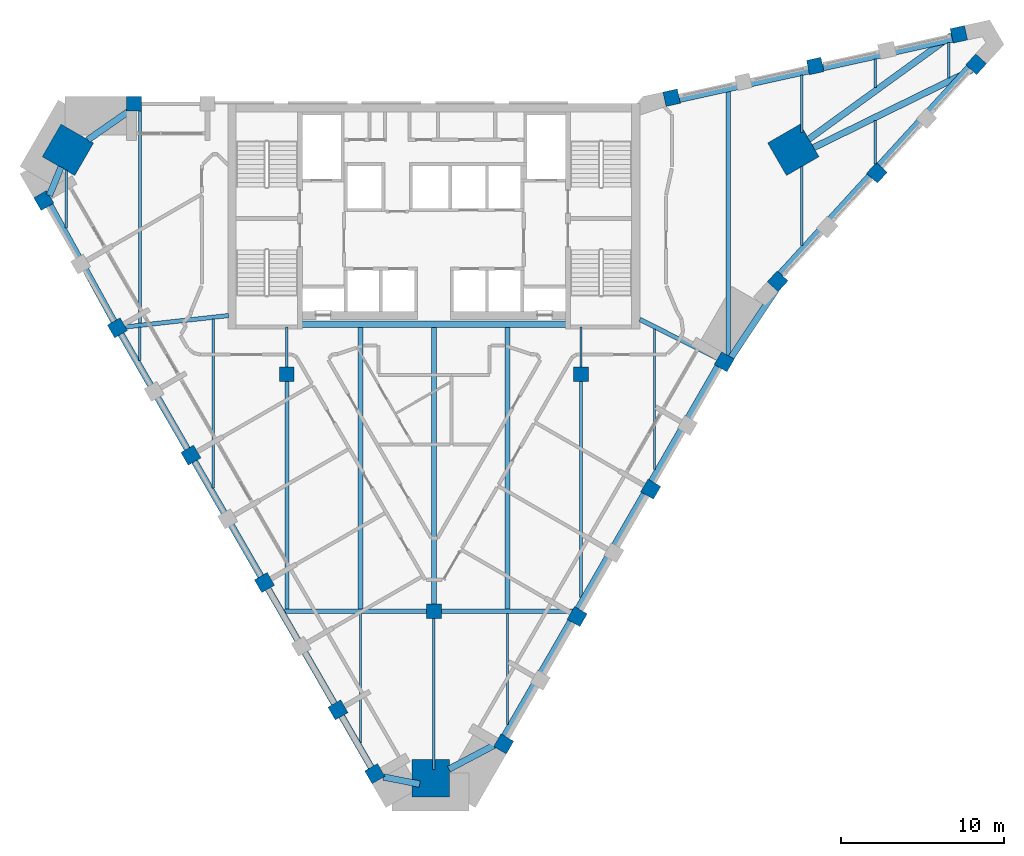
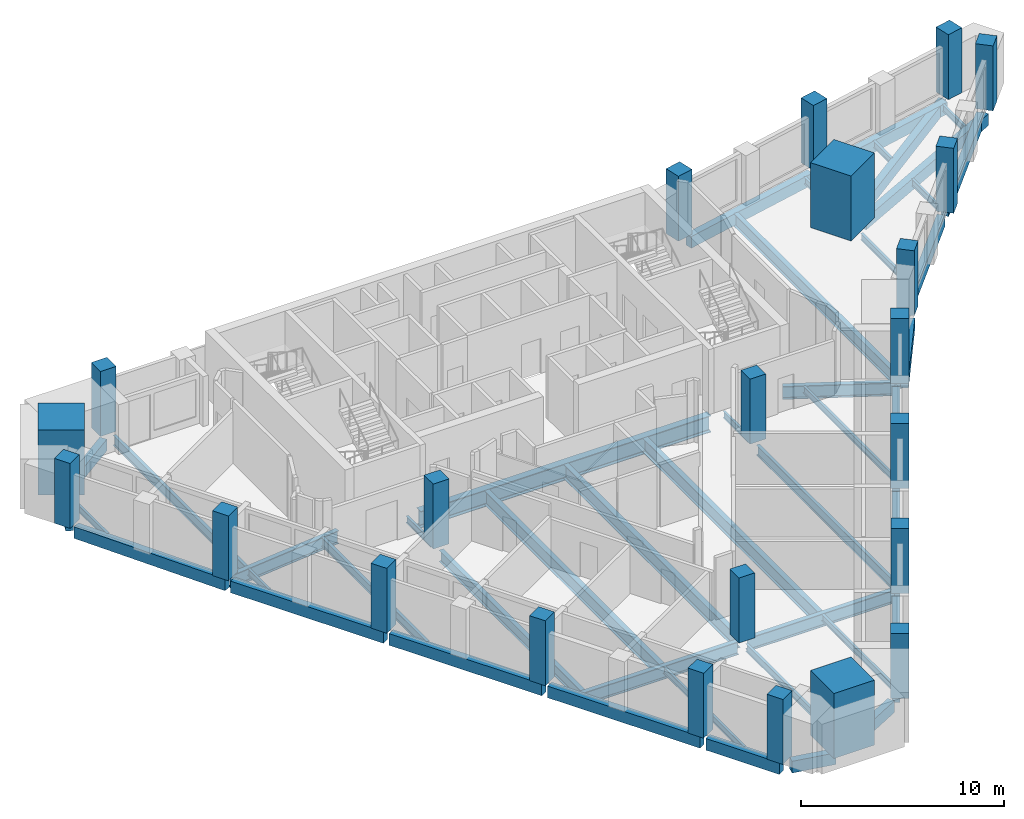
# One storey, part 1 of 8: 45 beams, 23 columns.
"""IFC4 building model written with IfcOpenShell, lengths in metres."""

import ifcopenshell
import ifcopenshell.guid

model = None  # the IFC model being written
_history = None  # IfcOwnerHistory: only IFC2X3 demands one
_inside = {}  # id of a spatial element -> (the spatial element, [elements in it])
_under = {}  # id of a project, library or spatial element -> (it, [spatial elements below it])
_declared = {}  # id of a project -> (the project, [libraries it declares])
_typed = {}  # id of a type object -> (the type object, [elements of that type])
_made_of = {}  # id of a material, layer set ... -> (it, [elements and type objects made of it])


def new_model(schema):
    """Start an empty IFC model of exactly this schema.

    Asked for "IFC4X3", IfcOpenShell would pick the latest addendum, in which some entities
    have other attributes; the version numbers below select the first issue.
    IFC2X3 requires an IfcOwnerHistory on every rooted entity: one is made here for all.
    """
    global model, _history
    if schema == "IFC4X3":
        model = ifcopenshell.file(schema_version=(4, 3, 0, 0))
    else:
        model = ifcopenshell.file(schema=schema)
    _inside.clear()
    _under.clear()
    _declared.clear()
    _typed.clear()
    _made_of.clear()
    _history = None
    if model.schema == "IFC2X3":
        org = make("IfcOrganization", Name="unknown")
        user = make(
            "IfcPersonAndOrganization",
            ThePerson=make("IfcPerson", FamilyName="unknown"),
            TheOrganization=org,
        )
        app = make(
            "IfcApplication",
            ApplicationDeveloper=org,
            Version="unknown",
            ApplicationFullName="unknown",
            ApplicationIdentifier="unknown",
        )
        _history = make(
            "IfcOwnerHistory",
            OwningUser=user,
            OwningApplication=app,
            ChangeAction="ADDED",
            CreationDate=0,
        )
    return model


def make(cls, **values):
    """One entity of the class cls with the attributes given. An attribute that is None is left unset."""
    return model.create_entity(
        cls, **{name: value for name, value in values.items() if value is not None}
    )


def rooted(cls, **values):
    """An entity with a GlobalId (a new one), such as an element, a storey or a relation."""
    return make(cls, GlobalId=ifcopenshell.guid.new(), OwnerHistory=_history, **values)


def si_unit(unit_type, name, prefix=None):
    """IfcSIUnit, for example si_unit("LENGTHUNIT", "METRE", prefix="MILLI")."""
    return make("IfcSIUnit", UnitType=unit_type, Prefix=prefix, Name=name)


def assignment(units):
    """IfcUnitAssignment: the units of a project."""
    return None if units is None else make("IfcUnitAssignment", Units=units)


def point(xyz):
    """IfcCartesianPoint."""
    return None if xyz is None else make("IfcCartesianPoint", Coordinates=xyz)


def direction(xyz):
    """IfcDirection."""
    return None if xyz is None else make("IfcDirection", DirectionRatios=xyz)


def frame(location, z_axis=None, x_axis=None):
    """IfcAxis2Placement3D, a coordinate frame: its origin and axes. An axis left out is left unset."""
    return make(
        "IfcAxis2Placement3D",
        Location=point(location),
        Axis=direction(z_axis),
        RefDirection=direction(x_axis),
    )


def frame_2d(location, x_axis=None):
    """IfcAxis2Placement2D, a coordinate frame in the plane: its origin and x axis."""
    return make(
        "IfcAxis2Placement2D", Location=point(location), RefDirection=direction(x_axis)
    )


def origin():
    """The frame at (0, 0, 0) with its axes left unset."""
    return frame((0.0, 0.0, 0.0))


def origin_2d():
    """The frame at (0, 0) in the plane with its x axis left unset."""
    return frame_2d((0.0, 0.0))


def place(relative_to, where):
    """IfcLocalPlacement: puts the frame where relative to a parent placement (None: the world)."""
    return make(
        "IfcLocalPlacement", PlacementRelTo=relative_to, RelativePlacement=where
    )


def context(
    kind, dimensions, precision=None, world=None, true_north=None, identifier=None
):
    """IfcGeometricRepresentationContext, for example the 3D "Model" context."""
    return make(
        "IfcGeometricRepresentationContext",
        ContextIdentifier=identifier,
        ContextType=kind,
        CoordinateSpaceDimension=dimensions,
        Precision=precision,
        WorldCoordinateSystem=world,
        TrueNorth=true_north,
    )


def subcontext(parent, identifier, kind, view, scale=None):
    """IfcGeometricRepresentationSubContext, for example "Body" below "Model"."""
    return make(
        "IfcGeometricRepresentationSubContext",
        ContextIdentifier=identifier,
        ContextType=kind,
        ParentContext=parent,
        TargetScale=scale,
        TargetView=view,
    )


def project(units=None, contexts=None):
    """IfcProject with its units and contexts."""
    return rooted(
        "IfcProject",
        Name="project",
        RepresentationContexts=contexts,
        UnitsInContext=assignment(units),
    )


def spatial(cls, under=None, at=None, **own):
    """A site, building, storey or space (cls), placed at a placement, below another one or the project."""
    s = rooted(cls, ObjectPlacement=at, **own)
    if under is not None:
        _under.setdefault(under.id(), (under, []))[1].append(s)
    return s


def profile(cls, at=None, kind="AREA", **sizes):
    """A parametric profile (cls). Its sizes go by their IFC names, for example OverallWidth=200.0."""
    return make(cls, ProfileType=kind, Position=at, **sizes)


def rectangle(**sizes):
    """IfcRectangleProfileDef."""
    return profile("IfcRectangleProfileDef", **sizes)


def i_section(**sizes):
    """IfcIShapeProfileDef."""
    return profile("IfcIShapeProfileDef", **sizes)


def extrude(swept, where, along, depth):
    """IfcExtrudedAreaSolid: the profile swept, set in the frame where, extruded along a direction by depth."""
    return make(
        "IfcExtrudedAreaSolid",
        SweptArea=swept,
        Position=where,
        ExtrudedDirection=direction(along),
        Depth=depth,
    )


def shape(context_of_items, identifier, shape_type, items):
    """IfcShapeRepresentation: the items that make up one representation, for example the "Body"."""
    return make(
        "IfcShapeRepresentation",
        ContextOfItems=context_of_items,
        RepresentationIdentifier=identifier,
        RepresentationType=shape_type,
        Items=items,
    )


def material(Name=None, Category=None):
    """IfcMaterial."""
    return make("IfcMaterial", Name=Name, Category=Category)


def material_profile(
    of_material, cross_section, Name=None, Category=None, Priority=None
):
    """IfcMaterialProfile: a cross section and its material."""
    return make(
        "IfcMaterialProfile",
        Name=Name,
        Material=of_material,
        Profile=cross_section,
        Priority=Priority,
        Category=Category,
    )


def profile_set(profiles, Name=None, composite=None):
    """IfcMaterialProfileSet."""
    return make(
        "IfcMaterialProfileSet",
        Name=Name,
        MaterialProfiles=profiles,
        CompositeProfile=composite,
    )


def made_of(thing, what):
    """Note that an element or type object is made of a material, layer set ...; save() writes the relation."""
    if what is not None:
        _made_of.setdefault(what.id(), (what, []))[1].append(thing)
    return thing


def type_object(cls, material=None, **own):
    """A type object (cls), such as IfcWallType, which elements share."""
    return made_of(rooted(cls, **own), material)


def element(
    cls,
    number,
    at=None,
    inside=None,
    cuts=None,
    type_object=None,
    material=None,
    context=None,
    identifier="Body",
    shape_type=None,
    held_by="IfcProductDefinitionShape",
    body=None,
    shapes=None,
    **own,
):
    """One element of the class cls, such as IfcWall. Its Tag is "e" and its number.

    at: its placement. inside: the storey or other place that contains it. cuts: it is an
    opening in that element (IfcRelVoidsElement). A single representation is given by context,
    identifier, shape_type and body (its items); several are given by shapes. held_by: the class
    of the entity that holds the representations. save() writes the other relations.
    """
    e = rooted(cls, Tag="e%d" % number, ObjectPlacement=at, **own)
    if body is not None:
        shapes = [shape(context, identifier, shape_type, body)]
    if shapes is not None:
        e.Representation = make(held_by, Representations=shapes)
    if inside is not None:
        _inside.setdefault(inside.id(), (inside, []))[1].append(e)
    if cuts is not None:
        rooted(
            "IfcRelVoidsElement", RelatingBuildingElement=cuts, RelatedOpeningElement=e
        )
    if type_object is not None:
        _typed.setdefault(type_object.id(), (type_object, []))[1].append(e)
    return made_of(e, material)


def aggregate(whole, parts):
    """IfcRelAggregates: a whole, such as a stair, and the parts it consists of."""
    return rooted("IfcRelAggregates", RelatingObject=whole, RelatedObjects=parts)


def save(model, path):
    """Write the relations noted so far, then the file.

    IfcRelAggregates (storeys below a building ...), IfcRelContainedInSpatialStructure (elements
    in a storey), IfcRelDefinesByType, IfcRelAssociatesMaterial and IfcRelDeclares: one each for
    every whole, place, type object, material and project.
    """
    for whole, parts in _under.values():
        aggregate(whole, parts)
    for where, things in _inside.values():
        rooted(
            "IfcRelContainedInSpatialStructure",
            RelatedElements=things,
            RelatingStructure=where,
        )
    for kind, things in _typed.values():
        rooted("IfcRelDefinesByType", RelatedObjects=things, RelatingType=kind)
    for what, things in _made_of.values():
        rooted("IfcRelAssociatesMaterial", RelatedObjects=things, RelatingMaterial=what)
    for by, libraries in _declared.values():
        rooted("IfcRelDeclares", RelatingContext=by, RelatedDefinitions=libraries)
    model.write(path)


model = new_model("IFC4")

# Units and contexts
model_context = context("Model", 3, precision=1e-05, world=origin(), true_north=direction((0.0, 1.0)))
body_context = subcontext(model_context, "Body", "Model", "MODEL_VIEW")
ifc_project = project(units=[si_unit("LENGTHUNIT", "METRE"), si_unit("AREAUNIT", "SQUARE_METRE"), si_unit("VOLUMEUNIT", "CUBIC_METRE"), si_unit("PLANEANGLEUNIT", "RADIAN"), si_unit("MASSUNIT", "GRAM", prefix="KILO")], contexts=[model_context])

# Site, building, storey
site_placement = place(None, origin())
site = spatial("IfcSite", under=ifc_project, at=site_placement, CompositionType="ELEMENT")
building_placement = place(site_placement, origin())
building = spatial("IfcBuilding", under=site, at=building_placement, Name="Calabash Gate Tower", CompositionType="ELEMENT")
storey_placement = place(building_placement, frame((0.0, 0.0, 252.10009765625)))
storey = spatial("IfcBuildingStorey", under=building, at=storey_placement, Name="L60", CompositionType="ELEMENT", Elevation=252.10009765625)

# Columns
ifc_material_1 = material(Name="Concrete C60/75", Category="concrete")
ifc_material_profile_1 = material_profile(ifc_material_1, rectangle(XDim=0.89990234375, YDim=0.89990234375, at=origin_2d()))
ifc_profile_set_1 = profile_set([ifc_material_profile_1], Name="Concrete C60/75")
column_type_1 = type_object("IfcColumnType", Name="Interior column RC 900x900 Concrete C60/75", PredefinedType="COLUMN", material=ifc_profile_set_1)
for number, where, z_axis, x_axis, name in (
    (1, (-9.0, 2.5, 0.0), (0.0, 0.0, 1.0), (1.0, 0.0, 0.0), "Interior column L60 I0"),
    (2, (9.0, 2.5, 0.0), (0.0, 0.0, 1.0), (1.0, 0.0, 0.0), "Interior column L60 I1"),
    (3, (0.0, -12.0, 0.0), (0.0, 0.0, 1.0), (1.0, 0.0, 0.0), "Interior column L60 I2"),
):
    element("IfcColumn", number, at=place(storey_placement, frame(where, z_axis=z_axis, x_axis=x_axis)), inside=storey, type_object=column_type_1, Name=name, PredefinedType="COLUMN", context=body_context, shape_type="SweptSolid", body=[
        extrude(rectangle(XDim=0.89990234375, YDim=0.89990234375, at=origin_2d()), origin(), (0.0, 0.0, 1.0), 3.89990234375),
    ])
ifc_material_2 = material(Name="Concrete C60/75", Category="concrete")
ifc_material_profile_2 = material_profile(ifc_material_2, rectangle(XDim=2.300048828125, YDim=2.300048828125, at=origin_2d()))
ifc_profile_set_2 = profile_set([ifc_material_profile_2], Name="Concrete C60/75")
column_type_2 = type_object("IfcColumnType", Name="Mega column RC 2300x2300 Concrete C60/75", PredefinedType="COLUMN", material=ifc_profile_set_2)
for number, where, z_axis, x_axis, name in (
    (4, (-22.40087890625, 16.22998046875, 0.0), (0.0, 0.0, 1.0), (0.866025377604, -0.500000045345, 0.0), "Mega column L60 NW"),
    (5, (21.991943359375, 16.22998046875, 0.0), (0.0, 0.0, 1.0), (-0.866025377604, -0.500000045345, 0.0), "Mega column L60 NE"),
    (6, (-0.202880859375, -22.216064453125, 0.0), (0.0, 0.0, 1.0), (0.0, 1.0, 0.0), "Mega column L60 S"),
):
    element("IfcColumn", number, at=place(storey_placement, frame(where, z_axis=z_axis, x_axis=x_axis)), inside=storey, type_object=column_type_2, Name=name, PredefinedType="COLUMN", context=body_context, shape_type="SweptSolid", body=[
        extrude(rectangle(XDim=2.300048828125, YDim=2.300048828125, at=origin_2d()), origin(), (0.0, 0.0, 1.0), 3.89990234375),
    ])
ifc_material_3 = material(Name="Concrete C50/60", Category="concrete")
ifc_material_profile_3 = material_profile(ifc_material_3, rectangle(XDim=0.89990234375, YDim=0.89990234375, at=origin_2d()))
ifc_profile_set_3 = profile_set([ifc_material_profile_3], Name="Concrete C50/60")
column_type_3 = type_object("IfcColumnType", Name="Perimeter column RC 900x900 Concrete C50/60", PredefinedType="COLUMN", material=ifc_profile_set_3)
for number, where, z_axis, x_axis, name in (
    (7, (-23.873046875, 13.132080078125, 0.0), (0.0, 0.0, 1.0), (0.5, -0.866025403784, 0.0), "Perimeter column L60 P20"),
    (8, (-19.373046875, 5.337890625, 0.0), (0.0, 0.0, 1.0), (0.5, -0.866025403784, 0.0), "Perimeter column L60 P00"),
    (9, (-14.873046875, -2.4560546875, 0.0), (0.0, 0.0, 1.0), (0.5, -0.866025403784, 0.0), "Perimeter column L60 P01"),
    (10, (-10.373046875, -10.25, 0.0), (0.0, 0.0, 1.0), (0.5, -0.866025403784, 0.0), "Perimeter column L60 P02"),
    (11, (-5.873046875, -18.04296875, 0.0), (0.0, 0.0, 1.0), (0.5, -0.866025403784, 0.0), "Perimeter column L60 P03"),
    (12, (-3.623046875, -21.94189453125, 0.0), (0.0, 0.0, 1.0), (0.5, -0.866025403784, 0.0), "Perimeter column L60 P25"),
    (13, (4.262939453125, -20.1240234375, 0.0), (0.0, 0.0, 1.0), (0.5, 0.866025403784, 0.0), "Perimeter column L60 P08"),
    (14, (8.762939453125, -12.330078125, 0.0), (0.0, 0.0, 1.0), (0.5, 0.866025403784, 0.0), "Perimeter column L60 P09"),
    (15, (13.262939453125, -4.532958984375, 0.0), (0.0, 0.0, 1.0), (0.5, 0.866025403784, 0.0), "Perimeter column L60 P10"),
    (16, (17.762939453125, 3.259033203125, 0.0), (0.0, 0.0, 1.0), (0.5, 0.866025403784, 0.0), "Perimeter column L60 P11"),
    (17, (21.031005859375, 8.18701171875, 0.0), (0.0, 0.0, 1.0), (0.67485604152, 0.737949404244, 0.0), "Perimeter column L60 P12"),
    (18, (27.10400390625, 14.825927734375, 0.0), (0.0, 0.0, 1.0), (0.67485604152, 0.737949404244, 0.0), "Perimeter column L60 P36"),
    (19, (33.177978515625, 21.468017578125, 0.0), (0.0, 0.0, 1.0), (0.67485604152, 0.737949404244, 0.0), "Perimeter column L60 P37"),
    (20, (32.12109375, 23.298095703125, 0.0), (0.0, 0.0, 1.0), (-0.976510951543, -0.215467773731, 0.0), "Perimeter column L60 P38"),
    (21, (23.3330078125, 21.35888671875, 0.0), (0.0, 0.0, 1.0), (-0.976510951543, -0.215467773731, 0.0), "Perimeter column L60 P39"),
    (22, (14.5439453125, 19.4189453125, 0.0), (0.0, 0.0, 1.0), (-0.976510951543, -0.215467773731, 0.0), "Perimeter column L60 P40"),
    (23, (-18.35302734375, 19.052978515625, 0.0), (0.0, 0.0, 1.0), (-1.0, 0.0, 0.0), "Perimeter column L60 P31"),
):
    element("IfcColumn", number, at=place(storey_placement, frame(where, z_axis=z_axis, x_axis=x_axis)), inside=storey, type_object=column_type_3, Name=name, PredefinedType="COLUMN", context=body_context, shape_type="SweptSolid", body=[
        extrude(rectangle(XDim=0.89990234375, YDim=0.89990234375, at=origin_2d()), origin(), (0.0, 0.0, 1.0), 3.89990234375),
    ])

# Beams
ifc_material_4 = material(Name="Concrete C50/60", Category="concrete")
ifc_material_profile_4 = material_profile(ifc_material_4, rectangle(XDim=0.39990234375, YDim=0.699951171875, at=origin_2d()))
ifc_profile_set_4 = profile_set([ifc_material_profile_4], Name="Concrete C50/60")
beam_type_1 = type_object("IfcBeamType", Name="Edge beam RC 400x700 Concrete C50/60", PredefinedType="BEAM", material=ifc_profile_set_4)
beam_1_placement = place(storey_placement, frame((-14.657958984375, -2.827880859375, -0.52001953125), z_axis=(0.499941762793, -0.866059024441, 0.0), x_axis=(0.866059024441, 0.499941762793, 0.0)))
element("IfcBeam", 24, at=beam_1_placement, inside=storey, type_object=beam_type_1, Name="Edge beam L60 1", PredefinedType="BEAM", context=body_context, shape_type="SweptSolid", body=[
    extrude(rectangle(XDim=0.39990234375, YDim=0.699951171875, at=origin_2d()), origin(), (0.0, 0.0, 1.0), 8.6728515625),
])
beam_2_placement = place(storey_placement, frame((-10.157958984375, -10.623046875, -0.52001953125), z_axis=(0.500002710516, -0.866023838862, 0.0), x_axis=(0.866023838862, 0.500002710516, 0.0)))
element("IfcBeam", 25, at=beam_2_placement, inside=storey, type_object=beam_type_1, Name="Edge beam L60 2", PredefinedType="BEAM", context=body_context, shape_type="SweptSolid", body=[
    extrude(rectangle(XDim=0.39990234375, YDim=0.699951171875, at=origin_2d()), origin(), (0.0, 0.0, 1.0), 8.671875),
])
beam_3_placement = place(storey_placement, frame((-5.657958984375, -18.4169921875, -0.52001953125), z_axis=(0.499990930889, -0.866030639775, 0.0), x_axis=(0.866030639775, 0.499990930889, 0.0)))
element("IfcBeam", 26, at=beam_3_placement, inside=storey, type_object=beam_type_1, Name="Edge beam L60 3", PredefinedType="BEAM", context=body_context, shape_type="SweptSolid", body=[
    extrude(rectangle(XDim=0.39990234375, YDim=0.699951171875, at=origin_2d()), origin(), (0.0, 0.0, 1.0), 4.171875),
])
beam_4_placement = place(storey_placement, frame((-3.10009765625, -22.14599609375, -0.52001953125), z_axis=(0.981220485855, -0.192889497219, 0.0), x_axis=(0.192889497219, 0.981220485855, 0.0)))
element("IfcBeam", 27, at=beam_4_placement, inside=storey, type_object=beam_type_1, Name="Edge beam L60 4", PredefinedType="BEAM", context=body_context, shape_type="SweptSolid", body=[
    extrude(rectangle(XDim=0.39990234375, YDim=0.699951171875, at=origin_2d()), origin(), (0.0, 0.0, 1.0), 2.270751953125),
])
beam_5_placement = place(storey_placement, frame((0.909912109375, -21.669921875, -0.52001953125), z_axis=(0.884115260919, 0.467268879137, 0.0), x_axis=(-0.467268879137, 0.884115260919, 0.0)))
element("IfcBeam", 28, at=beam_5_placement, inside=storey, type_object=beam_type_1, Name="Edge beam L60 5", PredefinedType="BEAM", context=body_context, shape_type="SweptSolid", body=[
    extrude(rectangle(XDim=0.39990234375, YDim=0.699951171875, at=origin_2d()), origin(), (0.0, 0.0, 1.0), 3.19091796875),
])
beam_6_placement = place(storey_placement, frame((4.31689453125, -19.634033203125, -0.52001953125), z_axis=(0.499986829629, 0.866033007568, 0.0), x_axis=(-0.866033007568, 0.499986829629, 0.0)))
element("IfcBeam", 29, at=beam_6_placement, inside=storey, type_object=beam_type_1, Name="Edge beam L60 6", PredefinedType="BEAM", context=body_context, shape_type="SweptSolid", body=[
    extrude(rectangle(XDim=0.39990234375, YDim=0.699951171875, at=origin_2d()), origin(), (0.0, 0.0, 1.0), 8.100341796875),
])
beam_7_placement = place(storey_placement, frame((8.81689453125, -11.840087890625, -0.52001953125), z_axis=(0.499882442781, 0.866093264839, 0.0), x_axis=(-0.866093264839, 0.499882442781, 0.0)))
element("IfcBeam", 30, at=beam_7_placement, inside=storey, type_object=beam_type_1, Name="Edge beam L60 7", PredefinedType="BEAM", context=body_context, shape_type="SweptSolid", body=[
    extrude(rectangle(XDim=0.39990234375, YDim=0.699951171875, at=origin_2d()), origin(), (0.0, 0.0, 1.0), 8.10205078125),
])
beam_8_placement = place(storey_placement, frame((13.31689453125, -4.0458984375, -0.52001953125), z_axis=(0.499999880539, 0.866025472755, 0.0), x_axis=(-0.866025472755, 0.499999880539, 0.0)))
element("IfcBeam", 31, at=beam_8_placement, inside=storey, type_object=beam_type_1, Name="Edge beam L60 8", PredefinedType="BEAM", context=body_context, shape_type="SweptSolid", body=[
    extrude(rectangle(XDim=0.39990234375, YDim=0.699951171875, at=origin_2d()), origin(), (0.0, 0.0, 1.0), 8.10009765625),
])
beam_9_placement = place(storey_placement, frame((18.174072265625, 3.51611328125, -0.52001953125), z_axis=(0.552996304817, 0.833183705349, 0.0), x_axis=(-0.833183705349, 0.552996304817, 0.0)))
element("IfcBeam", 32, at=beam_9_placement, inside=storey, type_object=beam_type_1, Name="Edge beam L60 9", PredefinedType="BEAM", context=body_context, shape_type="SweptSolid", body=[
    extrude(rectangle(XDim=0.39990234375, YDim=0.699951171875, at=origin_2d()), origin(), (0.0, 0.0, 1.0), 4.996337890625),
])
beam_10_placement = place(storey_placement, frame((21.18701171875, 8.652099609375, -0.52001953125), z_axis=(0.674873802315, 0.737933161573, 0.0), x_axis=(-0.737933161573, 0.674873802315, 0.0)))
element("IfcBeam", 33, at=beam_10_placement, inside=storey, type_object=beam_type_1, Name="Edge beam L60 10", PredefinedType="BEAM", context=body_context, shape_type="SweptSolid", body=[
    extrude(rectangle(XDim=0.39990234375, YDim=0.699951171875, at=origin_2d()), origin(), (0.0, 0.0, 1.0), 8.099365234375),
])
beam_11_placement = place(storey_placement, frame((27.260009765625, 15.29296875, -0.52001953125), z_axis=(0.67486440312, 0.737941757459, 0.0), x_axis=(-0.737941757459, 0.67486440312, 0.0)))
element("IfcBeam", 34, at=beam_11_placement, inside=storey, type_object=beam_type_1, Name="Edge beam L60 11", PredefinedType="BEAM", context=body_context, shape_type="SweptSolid", body=[
    extrude(rectangle(XDim=0.39990234375, YDim=0.699951171875, at=origin_2d()), origin(), (0.0, 0.0, 1.0), 8.100830078125),
])
beam_12_placement = place(storey_placement, frame((32.922119140625, 21.1201171875, -0.52001953125), z_axis=(-0.897752470083, -0.44050028656, 0.0), x_axis=(0.44050028656, -0.897752470083, 0.0)))
element("IfcBeam", 35, at=beam_12_placement, inside=storey, type_object=beam_type_1, Name="Edge beam L60 12", PredefinedType="BEAM", context=body_context, shape_type="SweptSolid", body=[
    extrude(rectangle(XDim=0.39990234375, YDim=0.699951171875, at=origin_2d()), origin(), (0.0, 0.0, 1.0), 10.79931640625),
])
beam_13_placement = place(storey_placement, frame((22.923095703125, 16.87109375, -0.52001953125), z_axis=(0.809411988803, 0.587241204601, 0.0), x_axis=(-0.587241204601, 0.809411988803, 0.0)))
element("IfcBeam", 36, at=beam_13_placement, inside=storey, type_object=beam_type_1, Name="Edge beam L60 13", PredefinedType="BEAM", context=body_context, shape_type="SweptSolid", body=[
    extrude(rectangle(XDim=0.39990234375, YDim=0.699951171875, at=origin_2d()), origin(), (0.0, 0.0, 1.0), 10.84716796875),
])
beam_14_placement = place(storey_placement, frame((31.72705078125, 23.006103515625, -0.52001953125), z_axis=(-0.976492437334, -0.215551663945, 0.0), x_axis=(0.215551663945, -0.976492437334, 0.0)))
element("IfcBeam", 37, at=beam_14_placement, inside=storey, type_object=beam_type_1, Name="Edge beam L60 14", PredefinedType="BEAM", context=body_context, shape_type="SweptSolid", body=[
    extrude(rectangle(XDim=0.39990234375, YDim=0.699951171875, at=origin_2d()), origin(), (0.0, 0.0, 1.0), 8.1005859375),
])
beam_15_placement = place(storey_placement, frame((22.93603515625, 21.06591796875, -0.52001953125), z_axis=(-0.976517152373, -0.215439669332, 0.0), x_axis=(0.215439669332, -0.976517152373, 0.0)))
element("IfcBeam", 38, at=beam_15_placement, inside=storey, type_object=beam_type_1, Name="Edge beam L60 15", PredefinedType="BEAM", context=body_context, shape_type="SweptSolid", body=[
    extrude(rectangle(XDim=0.39990234375, YDim=0.699951171875, at=origin_2d()), origin(), (0.0, 0.0, 1.0), 8.09912109375),
])
beam_16_placement = place(storey_placement, frame((-18.6259765625, 18.62109375, -0.52001953125), z_axis=(-0.820584107688, -0.571525784379, 0.0), x_axis=(0.571525784379, -0.820584107688, 0.0)))
element("IfcBeam", 39, at=beam_16_placement, inside=storey, type_object=beam_type_1, Name="Edge beam L60 16", PredefinedType="BEAM", context=body_context, shape_type="SweptSolid", body=[
    extrude(rectangle(XDim=0.39990234375, YDim=0.699951171875, at=origin_2d()), origin(), (0.0, 0.0, 1.0), 3.1162109375),
])
beam_17_placement = place(storey_placement, frame((-22.821044921875, 15.177001953125, -0.52001953125), z_axis=(-0.37851203494, -0.925596369594, 0.0), x_axis=(0.925596369594, -0.37851203494, 0.0)))
element("IfcBeam", 40, at=beam_17_placement, inside=storey, type_object=beam_type_1, Name="Edge beam L60 17", PredefinedType="BEAM", context=body_context, shape_type="SweptSolid", body=[
    extrude(rectangle(XDim=0.39990234375, YDim=0.699951171875, at=origin_2d()), origin(), (0.0, 0.0, 1.0), 1.888671875),
])
beam_18_placement = place(storey_placement, frame((-23.493896484375, 12.85693359375, -0.52001953125), z_axis=(0.481451483575, -0.876472742853, 0.0), x_axis=(0.876472742853, 0.481451483575, 0.0)))
element("IfcBeam", 41, at=beam_18_placement, inside=storey, type_object=beam_type_1, Name="Edge beam L60 18", PredefinedType="BEAM", context=body_context, shape_type="SweptSolid", body=[
    extrude(rectangle(XDim=0.39990234375, YDim=0.699951171875, at=origin_2d()), origin(), (0.0, 0.0, 1.0), 8.68603515625),
])
beam_19_placement = place(storey_placement, frame((-19.157958984375, 4.966064453125, -0.52001953125), z_axis=(0.500051477612, -0.865995681132, 0.0), x_axis=(0.865995681132, 0.500051477612, 0.0)))
element("IfcBeam", 42, at=beam_19_placement, inside=storey, type_object=beam_type_1, Name="Edge beam L60 19", PredefinedType="BEAM", context=body_context, shape_type="SweptSolid", body=[
    extrude(rectangle(XDim=0.39990234375, YDim=0.699951171875, at=origin_2d()), origin(), (0.0, 0.0, 1.0), 8.6708984375),
])
ifc_material_5 = material(Name="Steel ASTM A992 Gr50", Category="steel")
ifc_material_profile_5 = material_profile(ifc_material_5, i_section(OverallWidth=0.1396484375, OverallDepth=0.398681640625, WebThickness=0.00634765625, FlangeThickness=0.0087890625, FilletRadius=0.01025390625, at=origin_2d()))
ifc_profile_set_5 = profile_set([ifc_material_profile_5], Name="Steel ASTM A992 Gr50")
beam_type_2 = type_object("IfcBeamType", Name="Floor beam W16x26 ASTM A992 Gr50", PredefinedType="BEAM", material=ifc_profile_set_5)
beam_20_placement = place(storey_placement, frame((-22.5, 11.431884765625, -0.369140625), z_axis=(0.0, 1.0, 0.0), x_axis=(-1.0, 0.0, 0.0)))
element("IfcBeam", 43, at=beam_20_placement, inside=storey, type_object=beam_type_2, Name="Floor beam L60 1", PredefinedType="BEAM", context=body_context, shape_type="SweptSolid", body=[
    extrude(i_section(OverallWidth=0.1396484375, OverallDepth=0.398681640625, WebThickness=0.00634765625, FlangeThickness=0.0087890625, FilletRadius=0.01025390625, at=origin_2d()), origin(), (0.0, 0.0, 1.0), 3.550048828125),
])
beam_21_placement = place(storey_placement, frame((-18.0, 3.327880859375, -0.369140625), z_axis=(0.0, 1.0, 0.0), x_axis=(-1.0, 0.0, 0.0)))
element("IfcBeam", 44, at=beam_21_placement, inside=storey, type_object=beam_type_2, Name="Floor beam L60 2", PredefinedType="BEAM", context=body_context, shape_type="SweptSolid", body=[
    extrude(i_section(OverallWidth=0.1396484375, OverallDepth=0.398681640625, WebThickness=0.00634765625, FlangeThickness=0.0087890625, FilletRadius=0.01025390625, at=origin_2d()), origin(), (0.0, 0.0, 1.0), 2.050048828125),
])
beam_22_placement = place(storey_placement, frame((-9.0, 2.949951171875, -0.369140625), z_axis=(0.0, 1.0, 0.0), x_axis=(-1.0, 0.0, 0.0)))
element("IfcBeam", 45, at=beam_22_placement, inside=storey, type_object=beam_type_2, Name="Floor beam L60 6", PredefinedType="BEAM", context=body_context, shape_type="SweptSolid", body=[
    extrude(i_section(OverallWidth=0.1396484375, OverallDepth=0.398681640625, WebThickness=0.00634765625, FlangeThickness=0.0087890625, FilletRadius=0.01025390625, at=origin_2d()), origin(), (0.0, 0.0, 1.0), 2.453125),
])
beam_23_placement = place(storey_placement, frame((-4.5, -20.053955078125, -0.369140625), z_axis=(0.0, 1.0, 0.0), x_axis=(-1.0, 0.0, 0.0)))
element("IfcBeam", 46, at=beam_23_placement, inside=storey, type_object=beam_type_2, Name="Floor beam L60 7", PredefinedType="BEAM", context=body_context, shape_type="SweptSolid", body=[
    extrude(i_section(OverallWidth=0.1396484375, OverallDepth=0.398681640625, WebThickness=0.00634765625, FlangeThickness=0.0087890625, FilletRadius=0.01025390625, at=origin_2d()), origin(), (0.0, 0.0, 1.0), 7.9208984375),
])
beam_24_placement = place(storey_placement, frame((4.5, -18.943115234375, -0.369140625), z_axis=(0.0, 1.0, 0.0), x_axis=(-1.0, 0.0, 0.0)))
element("IfcBeam", 47, at=beam_24_placement, inside=storey, type_object=beam_type_2, Name="Floor beam L60 11", PredefinedType="BEAM", context=body_context, shape_type="SweptSolid", body=[
    extrude(i_section(OverallWidth=0.1396484375, OverallDepth=0.398681640625, WebThickness=0.00634765625, FlangeThickness=0.0087890625, FilletRadius=0.01025390625, at=origin_2d()), origin(), (0.0, 0.0, 1.0), 6.81005859375),
])
beam_25_placement = place(storey_placement, frame((9.0, 2.949951171875, -0.369140625), z_axis=(0.0, 1.0, 0.0), x_axis=(-1.0, 0.0, 0.0)))
element("IfcBeam", 48, at=beam_25_placement, inside=storey, type_object=beam_type_2, Name="Floor beam L60 14", PredefinedType="BEAM", context=body_context, shape_type="SweptSolid", body=[
    extrude(i_section(OverallWidth=0.1396484375, OverallDepth=0.398681640625, WebThickness=0.00634765625, FlangeThickness=0.0087890625, FilletRadius=0.01025390625, at=origin_2d()), origin(), (0.0, 0.0, 1.0), 2.453125),
])
beam_26_placement = place(storey_placement, frame((13.5, -3.3369140625, -0.369140625), z_axis=(0.0, 1.0, 0.0), x_axis=(-1.0, 0.0, 0.0)))
element("IfcBeam", 49, at=beam_26_placement, inside=storey, type_object=beam_type_2, Name="Floor beam L60 15", PredefinedType="BEAM", context=body_context, shape_type="SweptSolid", body=[
    extrude(i_section(OverallWidth=0.1396484375, OverallDepth=0.398681640625, WebThickness=0.00634765625, FlangeThickness=0.0087890625, FilletRadius=0.01025390625, at=origin_2d()), origin(), (0.0, 0.0, 1.0), 8.60888671875),
])
beam_27_placement = place(storey_placement, frame((22.5, 10.3720703125, -0.369140625), z_axis=(0.0, 1.0, 0.0), x_axis=(-1.0, 0.0, 0.0)))
element("IfcBeam", 50, at=beam_27_placement, inside=storey, type_object=beam_type_2, Name="Floor beam L60 17", PredefinedType="BEAM", context=body_context, shape_type="SweptSolid", body=[
    extrude(i_section(OverallWidth=0.1396484375, OverallDepth=0.398681640625, WebThickness=0.00634765625, FlangeThickness=0.0087890625, FilletRadius=0.01025390625, at=origin_2d()), origin(), (0.0, 0.0, 1.0), 4.842041015625),
])
beam_28_placement = place(storey_placement, frame((22.5, 17.2900390625, -0.369140625), z_axis=(0.0, 1.0, 0.0), x_axis=(-1.0, 0.0, 0.0)))
element("IfcBeam", 51, at=beam_28_placement, inside=storey, type_object=beam_type_2, Name="Floor beam L60 18", PredefinedType="BEAM", context=body_context, shape_type="SweptSolid", body=[
    extrude(i_section(OverallWidth=0.1396484375, OverallDepth=0.398681640625, WebThickness=0.00634765625, FlangeThickness=0.0087890625, FilletRadius=0.01025390625, at=origin_2d()), origin(), (0.0, 0.0, 1.0), 3.507080078125),
])
beam_29_placement = place(storey_placement, frame((27.0, 15.35693359375, -0.369140625), z_axis=(0.0, 1.0, 0.0), x_axis=(-1.0, 0.0, 0.0)))
element("IfcBeam", 52, at=beam_29_placement, inside=storey, type_object=beam_type_2, Name="Floor beam L60 19", PredefinedType="BEAM", context=body_context, shape_type="SweptSolid", body=[
    extrude(i_section(OverallWidth=0.1396484375, OverallDepth=0.398681640625, WebThickness=0.00634765625, FlangeThickness=0.0087890625, FilletRadius=0.01025390625, at=origin_2d()), origin(), (0.0, 0.0, 1.0), 2.656982421875),
])
beam_30_placement = place(storey_placement, frame((27.0, 20.0439453125, -0.369140625), z_axis=(0.0, 1.0, 0.0), x_axis=(-1.0, 0.0, 0.0)))
element("IfcBeam", 53, at=beam_30_placement, inside=storey, type_object=beam_type_2, Name="Floor beam L60 20", PredefinedType="BEAM", context=body_context, shape_type="SweptSolid", body=[
    extrude(i_section(OverallWidth=0.1396484375, OverallDepth=0.398681640625, WebThickness=0.00634765625, FlangeThickness=0.0087890625, FilletRadius=0.01025390625, at=origin_2d()), origin(), (0.0, 0.0, 1.0), 1.74609375),
])
beam_31_placement = place(storey_placement, frame((31.5, 20.623046875, -0.369140625), z_axis=(0.0, 1.0, 0.0), x_axis=(-1.0, 0.0, 0.0)))
element("IfcBeam", 54, at=beam_31_placement, inside=storey, type_object=beam_type_2, Name="Floor beam L60 21", PredefinedType="BEAM", context=body_context, shape_type="SweptSolid", body=[
    extrude(i_section(OverallWidth=0.1396484375, OverallDepth=0.398681640625, WebThickness=0.00634765625, FlangeThickness=0.0087890625, FilletRadius=0.01025390625, at=origin_2d()), origin(), (0.0, 0.0, 1.0), 2.159912109375),
])
ifc_material_6 = material(Name="Steel ASTM A992 Gr50", Category="steel")
ifc_material_profile_6 = material_profile(ifc_material_6, i_section(OverallWidth=0.15234375, OverallDepth=0.44970703125, WebThickness=0.007568359375, FlangeThickness=0.0107421875, FilletRadius=0.01025390625, at=origin_2d()))
ifc_profile_set_6 = profile_set([ifc_material_profile_6], Name="Steel ASTM A992 Gr50")
beam_type_3 = type_object("IfcBeamType", Name="Floor beam W18x35 ASTM A992 Gr50", PredefinedType="BEAM", material=ifc_profile_set_6)
beam_32_placement = place(storey_placement, frame((0.0, -21.677978515625, -0.39306640625), z_axis=(0.0, 1.0, 0.0), x_axis=(-1.0, 0.0, 0.0)))
element("IfcBeam", 55, at=beam_32_placement, inside=storey, type_object=beam_type_3, Name="Floor beam L60 9", PredefinedType="BEAM", context=body_context, shape_type="SweptSolid", body=[
    extrude(i_section(OverallWidth=0.15234375, OverallDepth=0.44970703125, WebThickness=0.007568359375, FlangeThickness=0.0107421875, FilletRadius=0.01025390625, at=origin_2d()), origin(), (0.0, 0.0, 1.0), 9.22802734375),
])
ifc_material_7 = material(Name="Steel ASTM A992 Gr50", Category="steel")
ifc_material_profile_7 = material_profile(ifc_material_7, i_section(OverallWidth=0.166015625, OverallDepth=0.5283203125, WebThickness=0.009765625, FlangeThickness=0.013671875, FilletRadius=0.0126953125, at=origin_2d()))
ifc_profile_set_7 = profile_set([ifc_material_profile_7], Name="Steel ASTM A992 Gr50")
beam_type_4 = type_object("IfcBeamType", Name="Floor beam W21x50 ASTM A992 Gr50", PredefinedType="BEAM", material=ifc_profile_set_7)
beam_33_placement = place(storey_placement, frame((-13.5, -4.466064453125, -0.43408203125), z_axis=(0.0, 1.0, 0.0), x_axis=(-1.0, 0.0, 0.0)))
element("IfcBeam", 56, at=beam_33_placement, inside=storey, type_object=beam_type_4, Name="Floor beam L60 4", PredefinedType="BEAM", context=body_context, shape_type="SweptSolid", body=[
    extrude(i_section(OverallWidth=0.166015625, OverallDepth=0.5283203125, WebThickness=0.009765625, FlangeThickness=0.013671875, FilletRadius=0.0126953125, at=origin_2d()), origin(), (0.0, 0.0, 1.0), 10.343017578125),
])
ifc_material_8 = material(Name="Steel ASTM A992 Gr50", Category="steel")
ifc_material_profile_8 = material_profile(ifc_material_8, i_section(OverallWidth=0.1787109375, OverallDepth=0.60205078125, WebThickness=0.010986328125, FlangeThickness=0.014892578125, FilletRadius=0.0126953125, at=origin_2d()))
ifc_profile_set_8 = profile_set([ifc_material_profile_8], Name="Steel ASTM A992 Gr50")
beam_type_5 = type_object("IfcBeamType", Name="Floor beam W24x62 ASTM A992 Gr50", PredefinedType="BEAM", material=ifc_profile_set_8)
beam_34_placement = place(storey_placement, frame((-18.0, 5.60205078125, -0.47119140625), z_axis=(0.0, 1.0, 0.0), x_axis=(-1.0, 0.0, 0.0)))
element("IfcBeam", 57, at=beam_34_placement, inside=storey, type_object=beam_type_5, Name="Floor beam L60 3", PredefinedType="BEAM", context=body_context, shape_type="SweptSolid", body=[
    extrude(i_section(OverallWidth=0.1787109375, OverallDepth=0.60205078125, WebThickness=0.010986328125, FlangeThickness=0.014892578125, FilletRadius=0.0126953125, at=origin_2d()), origin(), (0.0, 0.0, 1.0), 13.0009765625),
])
beam_35_placement = place(storey_placement, frame((9.0, -11.15087890625, -0.47119140625), z_axis=(0.0, 1.0, 0.0), x_axis=(-1.0, 0.0, 0.0)))
element("IfcBeam", 58, at=beam_35_placement, inside=storey, type_object=beam_type_5, Name="Floor beam L60 13", PredefinedType="BEAM", context=body_context, shape_type="SweptSolid", body=[
    extrude(i_section(OverallWidth=0.1787109375, OverallDepth=0.60205078125, WebThickness=0.010986328125, FlangeThickness=0.014892578125, FilletRadius=0.0126953125, at=origin_2d()), origin(), (0.0, 0.0, 1.0), 13.200927734375),
])
ifc_material_9 = material(Name="Steel ASTM A992 Gr50", Category="steel")
ifc_material_profile_9 = material_profile(ifc_material_9, i_section(OverallWidth=0.25390625, OverallDepth=0.67822265625, WebThickness=0.01171875, FlangeThickness=0.016357421875, FilletRadius=0.01513671875, at=origin_2d()))
ifc_profile_set_9 = profile_set([ifc_material_profile_9], Name="Steel ASTM A992 Gr50")
beam_type_6 = type_object("IfcBeamType", Name="Floor beam W27x84 ASTM A992 Gr50", PredefinedType="BEAM", material=ifc_profile_set_9)
beam_36_placement = place(storey_placement, frame((-9.0, -11.8798828125, -0.509033203125), z_axis=(0.0, 1.0, 0.0), x_axis=(-1.0, 0.0, 0.0)))
element("IfcBeam", 59, at=beam_36_placement, inside=storey, type_object=beam_type_6, Name="Floor beam L60 5", PredefinedType="BEAM", context=body_context, shape_type="SweptSolid", body=[
    extrude(i_section(OverallWidth=0.25390625, OverallDepth=0.67822265625, WebThickness=0.01171875, FlangeThickness=0.016357421875, FilletRadius=0.01513671875, at=origin_2d()), origin(), (0.0, 0.0, 1.0), 13.929931640625),
])
ifc_material_10 = material(Name="Steel ASTM A992 Gr50", Category="steel")
ifc_material_profile_10 = material_profile(ifc_material_10, i_section(OverallWidth=0.2666015625, OverallDepth=0.7568359375, WebThickness=0.013916015625, FlangeThickness=0.019287109375, FilletRadius=0.0166015625, at=origin_2d()))
ifc_profile_set_10 = profile_set([ifc_material_profile_10], Name="Steel ASTM A992 Gr50")
beam_type_7 = type_object("IfcBeamType", Name="Floor beam W30x108 ASTM A992 Gr50", PredefinedType="BEAM", material=ifc_profile_set_10)
beam_37_placement = place(storey_placement, frame((18.0, 3.616943359375, -0.548095703125), z_axis=(0.0, 1.0, 0.0), x_axis=(-1.0, 0.0, 0.0)))
element("IfcBeam", 60, at=beam_37_placement, inside=storey, type_object=beam_type_7, Name="Floor beam L60 16", PredefinedType="BEAM", context=body_context, shape_type="SweptSolid", body=[
    extrude(i_section(OverallWidth=0.2666015625, OverallDepth=0.7568359375, WebThickness=0.013916015625, FlangeThickness=0.019287109375, FilletRadius=0.0166015625, at=origin_2d()), origin(), (0.0, 0.0, 1.0), 16.18701171875),
])
ifc_material_11 = material(Name="Steel ASTM A992 Gr50", Category="steel")
ifc_material_profile_11 = material_profile(ifc_material_11, i_section(OverallWidth=0.2919921875, OverallDepth=0.845703125, WebThickness=0.015380859375, FlangeThickness=0.0244140625, FilletRadius=0.017822265625, at=origin_2d()))
ifc_profile_set_11 = profile_set([ifc_material_profile_11], Name="Steel ASTM A992 Gr50")
beam_type_8 = type_object("IfcBeamType", Name="Floor beam W33x141 ASTM A992 Gr50", PredefinedType="BEAM", material=ifc_profile_set_11)
beam_38_placement = place(storey_placement, frame((-4.5, -11.866943359375, -0.593017578125), z_axis=(0.0, 1.0, 0.0), x_axis=(-1.0, 0.0, 0.0)))
element("IfcBeam", 61, at=beam_38_placement, inside=storey, type_object=beam_type_8, Name="Floor beam L60 8", PredefinedType="BEAM", context=body_context, shape_type="SweptSolid", body=[
    extrude(i_section(OverallWidth=0.2919921875, OverallDepth=0.845703125, WebThickness=0.015380859375, FlangeThickness=0.0244140625, FilletRadius=0.017822265625, at=origin_2d()), origin(), (0.0, 0.0, 1.0), 17.218994140625),
])
beam_39_placement = place(storey_placement, frame((0.0, -11.550048828125, -0.593017578125), z_axis=(0.0, 1.0, 0.0), x_axis=(-1.0, 0.0, 0.0)))
element("IfcBeam", 62, at=beam_39_placement, inside=storey, type_object=beam_type_8, Name="Floor beam L60 10", PredefinedType="BEAM", context=body_context, shape_type="SweptSolid", body=[
    extrude(i_section(OverallWidth=0.2919921875, OverallDepth=0.845703125, WebThickness=0.015380859375, FlangeThickness=0.0244140625, FilletRadius=0.017822265625, at=origin_2d()), origin(), (0.0, 0.0, 1.0), 16.902099609375),
])
beam_40_placement = place(storey_placement, frame((4.5, -11.866943359375, -0.593017578125), z_axis=(0.0, 1.0, 0.0), x_axis=(-1.0, 0.0, 0.0)))
element("IfcBeam", 63, at=beam_40_placement, inside=storey, type_object=beam_type_8, Name="Floor beam L60 12", PredefinedType="BEAM", context=body_context, shape_type="SweptSolid", body=[
    extrude(i_section(OverallWidth=0.2919921875, OverallDepth=0.845703125, WebThickness=0.015380859375, FlangeThickness=0.0244140625, FilletRadius=0.017822265625, at=origin_2d()), origin(), (0.0, 0.0, 1.0), 17.218994140625),
])
ifc_material_12 = material(Name="Steel ASTM A992 Gr50", Category="steel")
ifc_material_profile_12 = material_profile(ifc_material_12, i_section(OverallWidth=0.2666015625, OverallDepth=0.77978515625, WebThickness=0.0166015625, FlangeThickness=0.030029296875, FilletRadius=0.0166015625, at=origin_2d()))
ifc_profile_set_12 = profile_set([ifc_material_profile_12], Name="Steel ASTM A992 Gr50")
beam_type_9 = type_object("IfcBeamType", Name="Girder W30x148 ASTM A992 Gr50", PredefinedType="BEAM", material=ifc_profile_set_12)
beam_41_placement = place(storey_placement, frame((-19.0830078125, 5.3701171875, -0.56005859375), z_axis=(0.993948970535, 0.109842814844, 0.0), x_axis=(-0.109842814844, 0.993948970535, 0.0)))
element("IfcBeam", 64, at=beam_41_placement, inside=storey, type_object=beam_type_9, Name="Girder L60 2", PredefinedType="BEAM", context=body_context, shape_type="SweptSolid", body=[
    extrude(i_section(OverallWidth=0.2666015625, OverallDepth=0.77978515625, WebThickness=0.0166015625, FlangeThickness=0.030029296875, FilletRadius=0.0166015625, at=origin_2d()), origin(), (0.0, 0.0, 1.0), 6.554443359375),
])
beam_42_placement = place(storey_placement, frame((17.541015625, 3.37109375, -0.56005859375), z_axis=(-0.893711114491, 0.448642891211, 0.0), x_axis=(-0.448642891211, -0.893711114491, 0.0)))
element("IfcBeam", 65, at=beam_42_placement, inside=storey, type_object=beam_type_9, Name="Girder L60 3", PredefinedType="BEAM", context=body_context, shape_type="SweptSolid", body=[
    extrude(i_section(OverallWidth=0.2666015625, OverallDepth=0.77978515625, WebThickness=0.0166015625, FlangeThickness=0.030029296875, FilletRadius=0.0166015625, at=origin_2d()), origin(), (0.0, 0.0, 1.0), 5.531982421875),
])
beam_43_placement = place(storey_placement, frame((-9.153076171875, -12.0, -0.56005859375), z_axis=(1.0, 0.0, 0.0), x_axis=(0.0, 1.0, 0.0)))
element("IfcBeam", 66, at=beam_43_placement, inside=storey, type_object=beam_type_9, Name="Girder L60 4", PredefinedType="BEAM", context=body_context, shape_type="SweptSolid", body=[
    extrude(i_section(OverallWidth=0.2666015625, OverallDepth=0.77978515625, WebThickness=0.0166015625, FlangeThickness=0.030029296875, FilletRadius=0.0166015625, at=origin_2d()), origin(), (0.0, 0.0, 1.0), 8.883056640625),
])
beam_44_placement = place(storey_placement, frame((0.27001953125, -12.0, -0.56005859375), z_axis=(1.0, 0.0, 0.0), x_axis=(0.0, 1.0, 0.0)))
element("IfcBeam", 67, at=beam_44_placement, inside=storey, type_object=beam_type_9, Name="Girder L60 5", PredefinedType="BEAM", context=body_context, shape_type="SweptSolid", body=[
    extrude(i_section(OverallWidth=0.2666015625, OverallDepth=0.77978515625, WebThickness=0.0166015625, FlangeThickness=0.030029296875, FilletRadius=0.0166015625, at=origin_2d()), origin(), (0.0, 0.0, 1.0), 8.3759765625),
])
ifc_material_13 = material(Name="Steel ASTM A992 Gr50", Category="steel")
ifc_material_profile_13 = material_profile(ifc_material_13, i_section(OverallWidth=0.4013671875, OverallDepth=1.000732421875, WebThickness=0.01904296875, FlangeThickness=0.0361328125, FilletRadius=0.030029296875, at=origin_2d()))
ifc_profile_set_13 = profile_set([ifc_material_profile_13], Name="Steel ASTM A992 Gr50")
beam_type_10 = type_object("IfcBeamType", Name="Girder W40x249 ASTM A992 Gr50", PredefinedType="BEAM", material=ifc_profile_set_13)
beam_45_placement = place(storey_placement, frame((-8.25, 5.552978515625, -0.670166015625), z_axis=(1.0, 0.0, 0.0), x_axis=(0.0, 1.0, 0.0)))
element("IfcBeam", 68, at=beam_45_placement, inside=storey, type_object=beam_type_10, Name="Girder L60 1", PredefinedType="BEAM", context=body_context, shape_type="SweptSolid", body=[
    extrude(i_section(OverallWidth=0.4013671875, OverallDepth=1.000732421875, WebThickness=0.01904296875, FlangeThickness=0.0361328125, FilletRadius=0.030029296875, at=origin_2d()), origin(), (0.0, 0.0, 1.0), 16.5),
])

save(model, "model.ifc")
